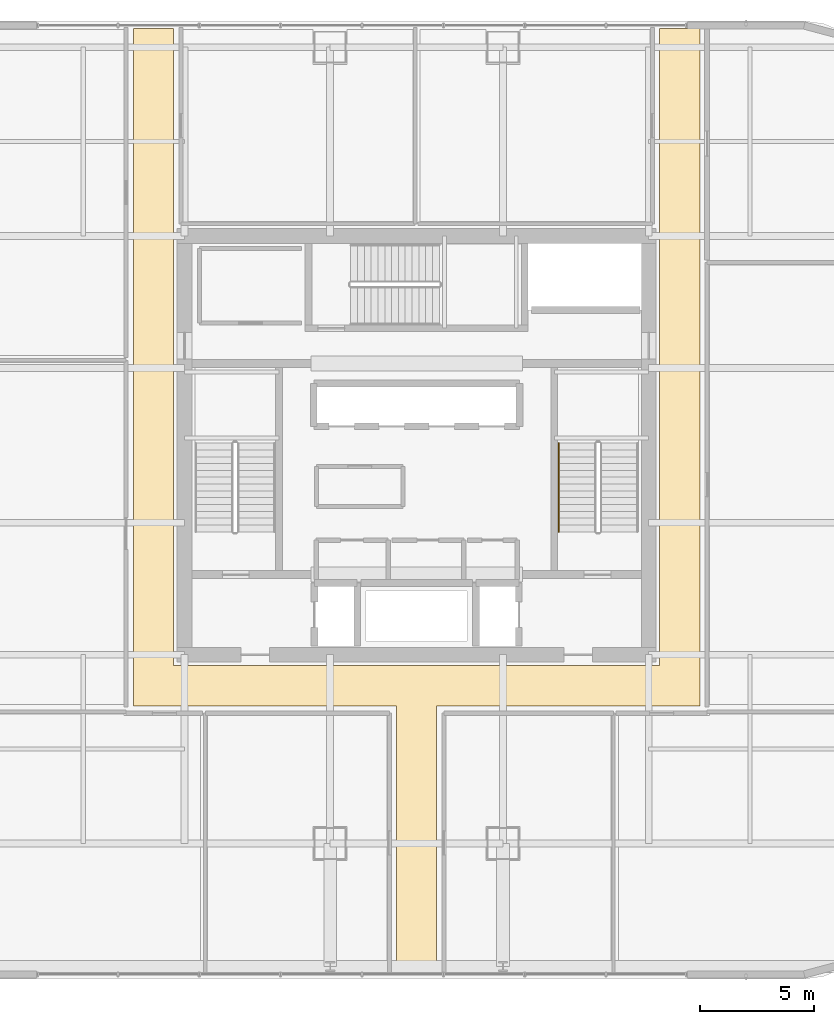
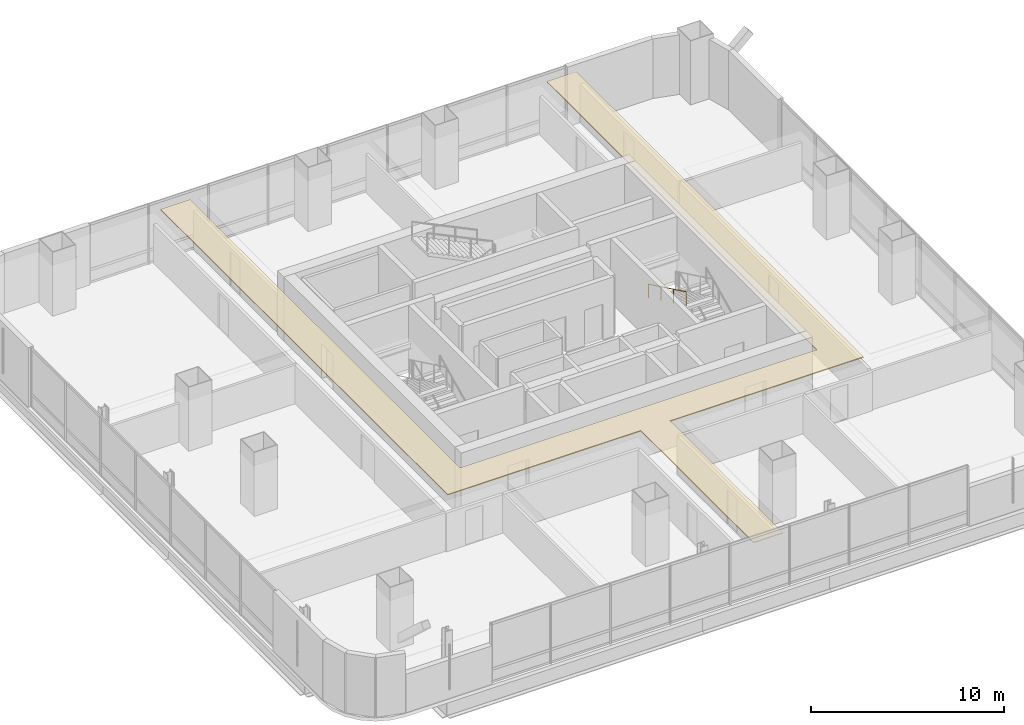
# One storey, part 40 of 46: 1 covering, 1 railing.
"""IFC4 building model written with IfcOpenShell, lengths in metres."""

import ifcopenshell
import ifcopenshell.guid

model = None  # the IFC model being written
_history = None  # IfcOwnerHistory: only IFC2X3 demands one
_inside = {}  # id of a spatial element -> (the spatial element, [elements in it])
_under = {}  # id of a project, library or spatial element -> (it, [spatial elements below it])
_declared = {}  # id of a project -> (the project, [libraries it declares])
_typed = {}  # id of a type object -> (the type object, [elements of that type])
_made_of = {}  # id of a material, layer set ... -> (it, [elements and type objects made of it])


def new_model(schema):
    """Start an empty IFC model of exactly this schema.

    Asked for "IFC4X3", IfcOpenShell would pick the latest addendum, in which some entities
    have other attributes; the version numbers below select the first issue.
    IFC2X3 requires an IfcOwnerHistory on every rooted entity: one is made here for all.
    """
    global model, _history
    if schema == "IFC4X3":
        model = ifcopenshell.file(schema_version=(4, 3, 0, 0))
    else:
        model = ifcopenshell.file(schema=schema)
    _inside.clear()
    _under.clear()
    _declared.clear()
    _typed.clear()
    _made_of.clear()
    _history = None
    if model.schema == "IFC2X3":
        org = make("IfcOrganization", Name="unknown")
        user = make(
            "IfcPersonAndOrganization",
            ThePerson=make("IfcPerson", FamilyName="unknown"),
            TheOrganization=org,
        )
        app = make(
            "IfcApplication",
            ApplicationDeveloper=org,
            Version="unknown",
            ApplicationFullName="unknown",
            ApplicationIdentifier="unknown",
        )
        _history = make(
            "IfcOwnerHistory",
            OwningUser=user,
            OwningApplication=app,
            ChangeAction="ADDED",
            CreationDate=0,
        )
    return model


def make(cls, **values):
    """One entity of the class cls with the attributes given. An attribute that is None is left unset."""
    return model.create_entity(
        cls, **{name: value for name, value in values.items() if value is not None}
    )


def rooted(cls, **values):
    """An entity with a GlobalId (a new one), such as an element, a storey or a relation."""
    return make(cls, GlobalId=ifcopenshell.guid.new(), OwnerHistory=_history, **values)


def si_unit(unit_type, name, prefix=None):
    """IfcSIUnit, for example si_unit("LENGTHUNIT", "METRE", prefix="MILLI")."""
    return make("IfcSIUnit", UnitType=unit_type, Prefix=prefix, Name=name)


def assignment(units):
    """IfcUnitAssignment: the units of a project."""
    return None if units is None else make("IfcUnitAssignment", Units=units)


def point(xyz):
    """IfcCartesianPoint."""
    return None if xyz is None else make("IfcCartesianPoint", Coordinates=xyz)


def direction(xyz):
    """IfcDirection."""
    return None if xyz is None else make("IfcDirection", DirectionRatios=xyz)


def frame(location, z_axis=None, x_axis=None):
    """IfcAxis2Placement3D, a coordinate frame: its origin and axes. An axis left out is left unset."""
    return make(
        "IfcAxis2Placement3D",
        Location=point(location),
        Axis=direction(z_axis),
        RefDirection=direction(x_axis),
    )


def frame_2d(location, x_axis=None):
    """IfcAxis2Placement2D, a coordinate frame in the plane: its origin and x axis."""
    return make(
        "IfcAxis2Placement2D", Location=point(location), RefDirection=direction(x_axis)
    )


def origin():
    """The frame at (0, 0, 0) with its axes left unset."""
    return frame((0.0, 0.0, 0.0))


def origin_2d():
    """The frame at (0, 0) in the plane with its x axis left unset."""
    return frame_2d((0.0, 0.0))


def place(relative_to, where):
    """IfcLocalPlacement: puts the frame where relative to a parent placement (None: the world)."""
    return make(
        "IfcLocalPlacement", PlacementRelTo=relative_to, RelativePlacement=where
    )


def context(
    kind, dimensions, precision=None, world=None, true_north=None, identifier=None
):
    """IfcGeometricRepresentationContext, for example the 3D "Model" context."""
    return make(
        "IfcGeometricRepresentationContext",
        ContextIdentifier=identifier,
        ContextType=kind,
        CoordinateSpaceDimension=dimensions,
        Precision=precision,
        WorldCoordinateSystem=world,
        TrueNorth=true_north,
    )


def subcontext(parent, identifier, kind, view, scale=None):
    """IfcGeometricRepresentationSubContext, for example "Body" below "Model"."""
    return make(
        "IfcGeometricRepresentationSubContext",
        ContextIdentifier=identifier,
        ContextType=kind,
        ParentContext=parent,
        TargetScale=scale,
        TargetView=view,
    )


def project(units=None, contexts=None):
    """IfcProject with its units and contexts."""
    return rooted(
        "IfcProject",
        Name="project",
        RepresentationContexts=contexts,
        UnitsInContext=assignment(units),
    )


def spatial(cls, under=None, at=None, **own):
    """A site, building, storey or space (cls), placed at a placement, below another one or the project."""
    s = rooted(cls, ObjectPlacement=at, **own)
    if under is not None:
        _under.setdefault(under.id(), (under, []))[1].append(s)
    return s


def polyline(points):
    """IfcPolyline through the points."""
    return make("IfcPolyline", Points=[point(p) for p in points])


def profile(cls, at=None, kind="AREA", **sizes):
    """A parametric profile (cls). Its sizes go by their IFC names, for example OverallWidth=200.0."""
    return make(cls, ProfileType=kind, Position=at, **sizes)


def circle(**sizes):
    """IfcCircleProfileDef."""
    return profile("IfcCircleProfileDef", **sizes)


def outline(outer, holes=None, kind="AREA"):
    """IfcArbitraryClosedProfileDef: a profile drawn as a closed curve; with holes, ...WithVoids."""
    if holes is None:
        return make("IfcArbitraryClosedProfileDef", ProfileType=kind, OuterCurve=outer)
    return make(
        "IfcArbitraryProfileDefWithVoids",
        ProfileType=kind,
        OuterCurve=outer,
        InnerCurves=holes,
    )


def extrude(swept, where, along, depth):
    """IfcExtrudedAreaSolid: the profile swept, set in the frame where, extruded along a direction by depth."""
    return make(
        "IfcExtrudedAreaSolid",
        SweptArea=swept,
        Position=where,
        ExtrudedDirection=direction(along),
        Depth=depth,
    )


def shape(context_of_items, identifier, shape_type, items):
    """IfcShapeRepresentation: the items that make up one representation, for example the "Body"."""
    return make(
        "IfcShapeRepresentation",
        ContextOfItems=context_of_items,
        RepresentationIdentifier=identifier,
        RepresentationType=shape_type,
        Items=items,
    )


def material(Name=None, Category=None):
    """IfcMaterial."""
    return make("IfcMaterial", Name=Name, Category=Category)


def layer(
    of_material, thickness, ventilated=None, Name=None, Category=None, Priority=None
):
    """IfcMaterialLayer: one layer of a wall or slab, of a material (None: an air gap)."""
    return make(
        "IfcMaterialLayer",
        Material=of_material,
        LayerThickness=thickness,
        IsVentilated=ventilated,
        Name=Name,
        Category=Category,
        Priority=Priority,
    )


def layer_set(layers, Name=None):
    """IfcMaterialLayerSet."""
    return make("IfcMaterialLayerSet", MaterialLayers=layers, LayerSetName=Name)


def made_of(thing, what):
    """Note that an element or type object is made of a material, layer set ...; save() writes the relation."""
    if what is not None:
        _made_of.setdefault(what.id(), (what, []))[1].append(thing)
    return thing


def type_object(cls, material=None, **own):
    """A type object (cls), such as IfcWallType, which elements share."""
    return made_of(rooted(cls, **own), material)


def element(
    cls,
    number,
    at=None,
    inside=None,
    cuts=None,
    type_object=None,
    material=None,
    context=None,
    identifier="Body",
    shape_type=None,
    held_by="IfcProductDefinitionShape",
    body=None,
    shapes=None,
    **own,
):
    """One element of the class cls, such as IfcWall. Its Tag is "e" and its number.

    at: its placement. inside: the storey or other place that contains it. cuts: it is an
    opening in that element (IfcRelVoidsElement). A single representation is given by context,
    identifier, shape_type and body (its items); several are given by shapes. held_by: the class
    of the entity that holds the representations. save() writes the other relations.
    """
    e = rooted(cls, Tag="e%d" % number, ObjectPlacement=at, **own)
    if body is not None:
        shapes = [shape(context, identifier, shape_type, body)]
    if shapes is not None:
        e.Representation = make(held_by, Representations=shapes)
    if inside is not None:
        _inside.setdefault(inside.id(), (inside, []))[1].append(e)
    if cuts is not None:
        rooted(
            "IfcRelVoidsElement", RelatingBuildingElement=cuts, RelatedOpeningElement=e
        )
    if type_object is not None:
        _typed.setdefault(type_object.id(), (type_object, []))[1].append(e)
    return made_of(e, material)


def aggregate(whole, parts):
    """IfcRelAggregates: a whole, such as a stair, and the parts it consists of."""
    return rooted("IfcRelAggregates", RelatingObject=whole, RelatedObjects=parts)


def save(model, path):
    """Write the relations noted so far, then the file.

    IfcRelAggregates (storeys below a building ...), IfcRelContainedInSpatialStructure (elements
    in a storey), IfcRelDefinesByType, IfcRelAssociatesMaterial and IfcRelDeclares: one each for
    every whole, place, type object, material and project.
    """
    for whole, parts in _under.values():
        aggregate(whole, parts)
    for where, things in _inside.values():
        rooted(
            "IfcRelContainedInSpatialStructure",
            RelatedElements=things,
            RelatingStructure=where,
        )
    for kind, things in _typed.values():
        rooted("IfcRelDefinesByType", RelatedObjects=things, RelatingType=kind)
    for what, things in _made_of.values():
        rooted("IfcRelAssociatesMaterial", RelatedObjects=things, RelatingMaterial=what)
    for by, libraries in _declared.values():
        rooted("IfcRelDeclares", RelatingContext=by, RelatedDefinitions=libraries)
    model.write(path)


model = new_model("IFC4")

# Units and contexts
model_context = context("Model", 3, precision=1e-05, world=origin(), true_north=direction((0.0, 1.0)))
body_context = subcontext(model_context, "Body", "Model", "MODEL_VIEW")
ifc_project = project(units=[si_unit("LENGTHUNIT", "METRE"), si_unit("AREAUNIT", "SQUARE_METRE"), si_unit("VOLUMEUNIT", "CUBIC_METRE"), si_unit("PLANEANGLEUNIT", "RADIAN"), si_unit("MASSUNIT", "GRAM", prefix="KILO")], contexts=[model_context])

# Site, building, storey
site_placement = place(None, origin())
site = spatial("IfcSite", under=ifc_project, at=site_placement, CompositionType="ELEMENT")
building_placement = place(site_placement, origin())
building = spatial("IfcBuilding", under=site, at=building_placement, Name="Punatoya Terracotta Tower", CompositionType="ELEMENT")
storey_placement = place(building_placement, frame((0.0, 0.0, 200.550048828125)))
storey = spatial("IfcBuildingStorey", under=building, at=storey_placement, Name="L47", CompositionType="ELEMENT", Elevation=200.550048828125)

# Covering
ifc_material_1 = material(Name="Acoustic Mineral Fibre Ceiling")
ifc_layer = layer(ifc_material_1, 0.06005859375)
ifc_layer_set = layer_set([ifc_layer], Name="Acoustic Mineral Fibre Ceiling")
covering_type = type_object("IfcCoveringType", Name="COV-CEIL-60", PredefinedType="CEILING", material=ifc_layer_set)
covering_placement = place(storey_placement, frame((0.0, 0.0, 3.219970703125)))
element("IfcCovering", 1, at=covering_placement, inside=storey, type_object=covering_type, Name="L47 Central Spine Circulation Corridor Acoustic Ceiling", PredefinedType="CEILING", context=body_context, shape_type="SweptSolid", body=[
    extrude(outline(polyline([(12.449951171875, -11.449951171875), (12.449951171875, 18.330078125), (10.679931640625, 18.330078125), (10.679931640625, -9.679931640625), (-10.679931640625, -9.679931640625), (-10.679931640625, 18.330078125), (-12.449951171875, 18.330078125), (-12.449951171875, -11.449951171875), (-0.8798828125, -11.449951171875), (-0.8798828125, -23.1298828125), (0.8798828125, -23.1298828125), (0.8798828125, -11.449951171875), (12.449951171875, -11.449951171875)])), origin(), (0.0, 0.0, 1.0), 0.06005859375),
])

# Railing
ifc_material_2 = material(Name="Steel S355", Category="steel")
railing_type = type_object("IfcRailingType", Name="RLG-HND-900", PredefinedType="HANDRAIL", material=ifc_material_2)
railing_placement = place(storey_placement, frame((6.25, 0.10009765625, 2.169677734375)))
element("IfcRailing", 2, at=railing_placement, inside=storey, type_object=railing_type, Name="L47 ST-2 stair handrail 2", PredefinedType="HANDRAIL", context=body_context, shape_type="SweptSolid", body=[
    extrude(circle(Radius=0.02392578125, at=origin_2d()), frame((0.0, 0.0, 0.8759765625), z_axis=(0.0, -0.900773802044, 0.434288564841), x_axis=(1.0, 0.0, 0.0)), (0.0, 0.0, 1.0), 4.329833984375),
    extrude(circle(Radius=0.02099609375, at=origin_2d()), origin(), (0.0, 0.0, 1.0), 0.851806640625),
    extrude(circle(Radius=0.02099609375, at=origin_2d()), frame((0.0, -1.300048828125, 0.626708984375)), (0.0, 0.0, 1.0), 0.851806640625),
    extrude(circle(Radius=0.02099609375, at=origin_2d()), frame((0.0, -2.60009765625, 1.253662109375)), (0.0, 0.0, 1.0), 0.851806640625),
    extrude(circle(Radius=0.02099609375, at=origin_2d()), frame((0.0, -3.900146484375, 1.88037109375)), (0.0, 0.0, 1.0), 0.851806640625),
])

save(model, "model.ifc")
